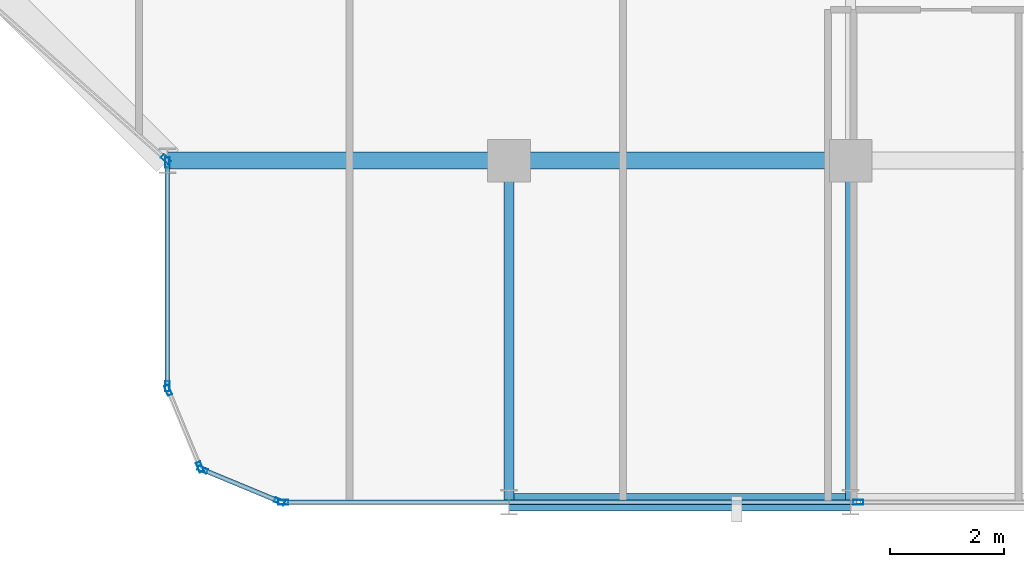
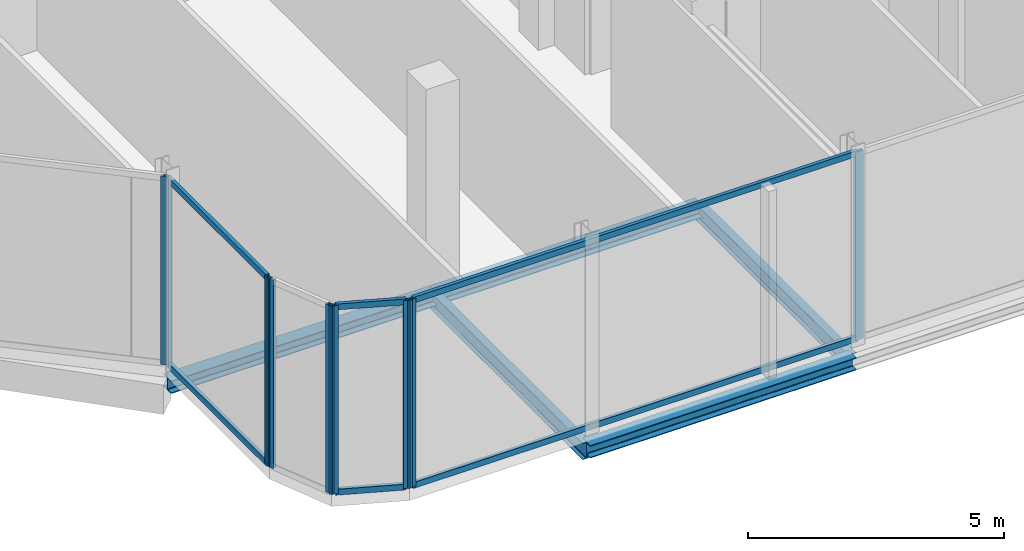
# One storey, part 6 of 29: 15 members, 5 beams, 5 elements without a shape of their own.
"""IFC4 building model written with IfcOpenShell, lengths in metres."""

from ifc_helpers import new_model, si_unit, direction, frame, origin, origin_2d, place, context, subcontext, project, spatial, hollow_rectangle, i_section, extrude, material, layer, layer_set, material_profile, profile_set, type_object, element, aggregate, save


model = new_model("IFC4")

# Units and contexts
model_context = context("Model", 3, precision=1e-05, world=origin(), true_north=direction((0.0, 1.0)))
body_context = subcontext(model_context, "Body", "Model", "MODEL_VIEW")
ifc_project = project(units=[si_unit("LENGTHUNIT", "METRE"), si_unit("AREAUNIT", "SQUARE_METRE"), si_unit("VOLUMEUNIT", "CUBIC_METRE"), si_unit("PLANEANGLEUNIT", "RADIAN"), si_unit("MASSUNIT", "GRAM", prefix="KILO")], contexts=[model_context])

# Site, building, storey
site_placement = place(None, origin())
site = spatial("IfcSite", under=ifc_project, at=site_placement, CompositionType="ELEMENT")
building_placement = place(site_placement, origin())
building = spatial("IfcBuilding", under=site, at=building_placement, Name="Keshet Zoharim Tower", CompositionType="ELEMENT")
storey_placement = place(building_placement, frame((0.0, 0.0, 218.0)))
storey = spatial("IfcBuildingStorey", under=building, at=storey_placement, Name="L54", CompositionType="ELEMENT", Elevation=218.0)

# Beams
ifc_material_1 = material(Name="Steel S355", Category="steel")
ifc_material_profile_1 = material_profile(ifc_material_1, i_section(OverallWidth=0.300048828125, OverallDepth=0.300048828125, WebThickness=0.010986328125, FlangeThickness=0.01904296875, FilletRadius=0.027099609375, at=origin_2d()), Name="HEB300")
ifc_profile_set_1 = profile_set([ifc_material_profile_1], Name="Steel S355")
beam_type_1 = type_object("IfcBeamType", Name="BM-PRI-HB300", PredefinedType="BEAM", material=ifc_profile_set_1)
for number, where, z_axis, x_axis, name in (
    (1, (27.0, 0.699951171875, -0.469970703125), (1.0, 0.0, 0.0), (0.0, 1.0, 0.0), "L54 Primary Girder X-001"),
    (2, (21.0, 6.699951171875, -0.469970703125), (1.0, 0.0, 0.0), (0.0, 1.0, 0.0), "L54 Primary Girder X-005"),
    (3, (27.0, 6.699951171875, -0.469970703125), (1.0, 0.0, 0.0), (0.0, 1.0, 0.0), "L54 Primary Girder X-006"),
):
    element("IfcBeam", number, at=place(storey_placement, frame(where, z_axis=z_axis, x_axis=x_axis)), inside=storey, type_object=beam_type_1, Name=name, PredefinedType="BEAM", context=body_context, shape_type="SweptSolid", body=[
        extrude(i_section(OverallWidth=0.300048828125, OverallDepth=0.300048828125, WebThickness=0.010986328125, FlangeThickness=0.01904296875, FilletRadius=0.027099609375, at=origin_2d()), origin(), (0.0, 0.0, 1.0), 6.0),
    ])
ifc_material_profile_2 = material_profile(ifc_material_1, i_section(OverallWidth=0.179931640625, OverallDepth=0.39990234375, WebThickness=0.008544921875, FlangeThickness=0.013427734375, FilletRadius=0.02099609375, at=origin_2d()), Name="IPE400")
ifc_profile_set_2 = profile_set([ifc_material_profile_2], Name="Steel S355")
beam_type_2 = type_object("IfcBeamType", Name="BM-PRI-IP400", PredefinedType="BEAM", material=ifc_profile_set_2)
for number, where, z_axis, x_axis, name in (
    (4, (27.0, 0.699951171875, -0.52001953125), (0.0, 1.0, 0.0), (-1.0, 0.0, 0.0), "L54 Primary Girder Y-004"),
    (5, (33.0, 0.699951171875, -0.52001953125), (0.0, 1.0, 0.0), (-1.0, 0.0, 0.0), "L54 Primary Girder Y-005"),
):
    element("IfcBeam", number, at=place(storey_placement, frame(where, z_axis=z_axis, x_axis=x_axis)), inside=storey, type_object=beam_type_2, Name=name, PredefinedType="BEAM", context=body_context, shape_type="SweptSolid", body=[
        extrude(i_section(OverallWidth=0.179931640625, OverallDepth=0.39990234375, WebThickness=0.008544921875, FlangeThickness=0.013427734375, FilletRadius=0.02099609375, at=origin_2d()), origin(), (0.0, 0.0, 1.0), 6.0),
    ])

# Curtain wall, members
ifc_material_2 = material(Name="Aluminium 6063-T6", Category="aluminium")
ifc_layer = layer(ifc_material_2, 0.14990234375)
ifc_layer_set = layer_set([ifc_layer], Name="Aluminium 6063-T6")
curtain_wall_type = type_object("IfcCurtainWallType", Name="CW-SYS-04", PredefinedType="NOTDEFINED", material=ifc_layer_set)
curtain_wall_1_placement = place(storey_placement, origin())
curtain_wall_1 = element("IfcCurtainWall", 6, at=curtain_wall_1_placement, inside=storey, type_object=curtain_wall_type, Name="L54 Unitised Curtain Wall 06 Part 3", PredefinedType="NOTDEFINED")
ifc_material_profile_3 = material_profile(ifc_material_2, hollow_rectangle(XDim=0.080078125, YDim=0.179931640625, WallThickness=0.00439453125, at=origin_2d()), Name="MUL-80x180")
ifc_profile_set_3 = profile_set([ifc_material_profile_3], Name="Aluminium 6063-T6")
member_type_1 = type_object("IfcMemberType", Name="CWM-M18", PredefinedType="MULLION", material=ifc_profile_set_3)
member_1_placement = place(storey_placement, frame((33.13525390625, 0.699951171875, 0.0), z_axis=(0.0, 0.0, 1.0), x_axis=(0.0, -1.0, 0.0)))
member_1 = element("IfcMember", 7, at=member_1_placement, type_object=member_type_1, Name="CW-04 mullion 2", PredefinedType="MULLION", context=body_context, shape_type="SweptSolid", body=[
    extrude(hollow_rectangle(XDim=0.080078125, YDim=0.179931640625, WallThickness=0.00439453125, at=origin_2d()), origin(), (0.0, 0.0, 1.0), 4.489990234375),
])
member_2_placement = place(storey_placement, frame((23.034912109375, 0.699951171875, 0.0), z_axis=(0.0, 0.0, 1.0), x_axis=(0.0, -1.0, 0.0)))
member_2 = element("IfcMember", 8, at=member_2_placement, type_object=member_type_1, Name="CW-04 mullion 3", PredefinedType="MULLION", context=body_context, shape_type="SweptSolid", body=[
    extrude(hollow_rectangle(XDim=0.080078125, YDim=0.179931640625, WallThickness=0.00439453125, at=origin_2d()), origin(), (0.0, 0.0, 1.0), 4.489990234375),
])

curtain_wall_2_placement = place(storey_placement, origin())
curtain_wall_2 = element("IfcCurtainWall", 9, at=curtain_wall_2_placement, inside=storey, type_object=curtain_wall_type, Name="L54 Unitised Curtain Wall 07", PredefinedType="NOTDEFINED")
member_3_placement = place(storey_placement, frame((22.9677734375, 0.71337890625, 0.0), z_axis=(0.0, 0.0, 1.0), x_axis=(-0.382851849847, -0.92380975372, 0.0)))
member_3 = element("IfcMember", 10, at=member_3_placement, type_object=member_type_1, Name="CW-04 mullion 1", PredefinedType="MULLION", context=body_context, shape_type="SweptSolid", body=[
    extrude(hollow_rectangle(XDim=0.080078125, YDim=0.179931640625, WallThickness=0.00439453125, at=origin_2d()), origin(), (0.0, 0.0, 1.0), 4.489990234375),
])
member_4_placement = place(storey_placement, frame((21.618408203125, 1.272705078125, 0.0), z_axis=(0.0, 0.0, 1.0), x_axis=(-0.382851849847, -0.92380975372, 0.0)))
member_4 = element("IfcMember", 11, at=member_4_placement, type_object=member_type_1, Name="CW-04 mullion 2", PredefinedType="MULLION", context=body_context, shape_type="SweptSolid", body=[
    extrude(hollow_rectangle(XDim=0.080078125, YDim=0.179931640625, WallThickness=0.00439453125, at=origin_2d()), origin(), (0.0, 0.0, 1.0), 4.489990234375),
])

curtain_wall_3_placement = place(storey_placement, origin())
curtain_wall_3 = element("IfcCurtainWall", 12, at=curtain_wall_3_placement, inside=storey, type_object=curtain_wall_type, Name="L54 Unitised Curtain Wall 08", PredefinedType="NOTDEFINED")
member_5_placement = place(storey_placement, frame((21.572509765625, 1.318359375, 0.0), z_axis=(0.0, 0.0, 1.0), x_axis=(-0.92380975372, -0.382851849847, 0.0)))
member_5 = element("IfcMember", 13, at=member_5_placement, type_object=member_type_1, Name="CW-04 mullion 1", PredefinedType="MULLION", context=body_context, shape_type="SweptSolid", body=[
    extrude(hollow_rectangle(XDim=0.080078125, YDim=0.179931640625, WallThickness=0.00439453125, at=origin_2d()), origin(), (0.0, 0.0, 1.0), 4.489990234375),
])
member_6_placement = place(storey_placement, frame((21.013427734375, 2.667724609375, 0.0), z_axis=(0.0, 0.0, 1.0), x_axis=(-0.92380975372, -0.382851849847, 0.0)))
member_6 = element("IfcMember", 14, at=member_6_placement, type_object=member_type_1, Name="CW-04 mullion 2", PredefinedType="MULLION", context=body_context, shape_type="SweptSolid", body=[
    extrude(hollow_rectangle(XDim=0.080078125, YDim=0.179931640625, WallThickness=0.00439453125, at=origin_2d()), origin(), (0.0, 0.0, 1.0), 4.489990234375),
])
aggregate(curtain_wall_3, [member_5, member_6])

curtain_wall_4_placement = place(storey_placement, origin())
curtain_wall_4 = element("IfcCurtainWall", 15, at=curtain_wall_4_placement, inside=storey, type_object=curtain_wall_type, Name="L54 Unitised Curtain Wall 09", PredefinedType="NOTDEFINED")
member_7_placement = place(storey_placement, frame((21.0, 2.735107421875, 0.0), z_axis=(0.0, 0.0, 1.0), x_axis=(-1.0, 0.0, 0.0)))
member_7 = element("IfcMember", 16, at=member_7_placement, type_object=member_type_1, Name="CW-04 mullion 1", PredefinedType="MULLION", context=body_context, shape_type="SweptSolid", body=[
    extrude(hollow_rectangle(XDim=0.080078125, YDim=0.179931640625, WallThickness=0.00439453125, at=origin_2d()), origin(), (0.0, 0.0, 1.0), 4.489990234375),
])
member_8_placement = place(storey_placement, frame((21.0, 6.6650390625, 0.0), z_axis=(0.0, 0.0, 1.0), x_axis=(-1.0, 0.0, 0.0)))
member_8 = element("IfcMember", 17, at=member_8_placement, type_object=member_type_1, Name="CW-04 mullion 2", PredefinedType="MULLION", context=body_context, shape_type="SweptSolid", body=[
    extrude(hollow_rectangle(XDim=0.080078125, YDim=0.179931640625, WallThickness=0.00439453125, at=origin_2d()), origin(), (0.0, 0.0, 1.0), 4.489990234375),
])

# Curtain wall, member
curtain_wall_5_placement = place(storey_placement, origin())
curtain_wall_5 = element("IfcCurtainWall", 18, at=curtain_wall_5_placement, inside=storey, type_object=curtain_wall_type, Name="L54 Unitised Curtain Wall 10", PredefinedType="NOTDEFINED")
member_9_placement = place(storey_placement, frame((20.973876953125, 6.72314453125, 0.0), z_axis=(0.0, 0.0, 1.0), x_axis=(-0.664357813677, -0.747414674332, 0.0)))
member_9 = element("IfcMember", 19, at=member_9_placement, type_object=member_type_1, Name="CW-04 mullion 1", PredefinedType="MULLION", context=body_context, shape_type="SweptSolid", body=[
    extrude(hollow_rectangle(XDim=0.080078125, YDim=0.179931640625, WallThickness=0.00439453125, at=origin_2d()), origin(), (0.0, 0.0, 1.0), 4.489990234375),
])
aggregate(curtain_wall_5, [member_9])

# Member
ifc_material_profile_4 = material_profile(ifc_material_2, hollow_rectangle(XDim=0.080078125, YDim=0.139892578125, WallThickness=0.00390625, at=origin_2d()), Name="TRN-80x140")
ifc_profile_set_4 = profile_set([ifc_material_profile_4], Name="Aluminium 6063-T6")
member_type_2 = type_object("IfcMemberType", Name="CWT-T14", PredefinedType="USERDEFINED", material=ifc_profile_set_4)
member_10_placement = place(storey_placement, frame((33.100341796875, 0.699951171875, 0.034912109375), z_axis=(-1.0, 0.0, 0.0), x_axis=(0.0, -1.0, 0.0)))
member_10 = element("IfcMember", 20, at=member_10_placement, type_object=member_type_2, Name="CW-04 transom 2.1", ObjectType="TRANSOM", PredefinedType="USERDEFINED", context=body_context, shape_type="SweptSolid", body=[
    extrude(hollow_rectangle(XDim=0.080078125, YDim=0.139892578125, WallThickness=0.00390625, at=origin_2d()), origin(), (0.0, 0.0, 1.0), 10.0302734375),
])

member_11_placement = place(storey_placement, frame((33.100341796875, 0.699951171875, 4.455078125), z_axis=(-1.0, 0.0, 0.0), x_axis=(0.0, -1.0, 0.0)))
member_11 = element("IfcMember", 21, at=member_11_placement, type_object=member_type_2, Name="CW-04 transom 2.2", ObjectType="TRANSOM", PredefinedType="USERDEFINED", context=body_context, shape_type="SweptSolid", body=[
    extrude(hollow_rectangle(XDim=0.080078125, YDim=0.139892578125, WallThickness=0.00390625, at=origin_2d()), origin(), (0.0, 0.0, 1.0), 10.0302734375),
])

aggregate(curtain_wall_1, [member_1, member_2, member_10, member_11])

member_12_placement = place(storey_placement, frame((22.935302734375, 0.726806640625, 0.034912109375), z_axis=(-0.92379209995, 0.382894445076, 0.0), x_axis=(-0.382894445076, -0.92379209995, 0.0)))
member_12 = element("IfcMember", 22, at=member_12_placement, type_object=member_type_2, Name="CW-04 transom 1.1", ObjectType="TRANSOM", PredefinedType="USERDEFINED", context=body_context, shape_type="SweptSolid", body=[
    extrude(hollow_rectangle(XDim=0.080078125, YDim=0.139892578125, WallThickness=0.00390625, at=origin_2d()), origin(), (0.0, 0.0, 1.0), 1.390625),
])

member_13_placement = place(storey_placement, frame((22.935302734375, 0.726806640625, 4.455078125), z_axis=(-0.92379209995, 0.382894445076, 0.0), x_axis=(-0.382894445076, -0.92379209995, 0.0)))
member_13 = element("IfcMember", 23, at=member_13_placement, type_object=member_type_2, Name="CW-04 transom 1.2", ObjectType="TRANSOM", PredefinedType="USERDEFINED", context=body_context, shape_type="SweptSolid", body=[
    extrude(hollow_rectangle(XDim=0.080078125, YDim=0.139892578125, WallThickness=0.00390625, at=origin_2d()), origin(), (0.0, 0.0, 1.0), 1.390625),
])

aggregate(curtain_wall_2, [member_3, member_4, member_12, member_13])

member_14_placement = place(storey_placement, frame((21.0, 2.77001953125, 0.034912109375), z_axis=(0.0, 1.0, 0.0), x_axis=(-1.0, 0.0, 0.0)))
member_14 = element("IfcMember", 24, at=member_14_placement, type_object=member_type_2, Name="CW-04 transom 1.1", ObjectType="TRANSOM", PredefinedType="USERDEFINED", context=body_context, shape_type="SweptSolid", body=[
    extrude(hollow_rectangle(XDim=0.080078125, YDim=0.139892578125, WallThickness=0.00390625, at=origin_2d()), origin(), (0.0, 0.0, 1.0), 3.85986328125),
])

member_15_placement = place(storey_placement, frame((21.0, 2.77001953125, 4.455078125), z_axis=(0.0, 1.0, 0.0), x_axis=(-1.0, 0.0, 0.0)))
member_15 = element("IfcMember", 25, at=member_15_placement, type_object=member_type_2, Name="CW-04 transom 1.2", ObjectType="TRANSOM", PredefinedType="USERDEFINED", context=body_context, shape_type="SweptSolid", body=[
    extrude(hollow_rectangle(XDim=0.080078125, YDim=0.139892578125, WallThickness=0.00390625, at=origin_2d()), origin(), (0.0, 0.0, 1.0), 3.85986328125),
])

aggregate(curtain_wall_4, [member_7, member_8, member_14, member_15])

save(model, "model.ifc")
